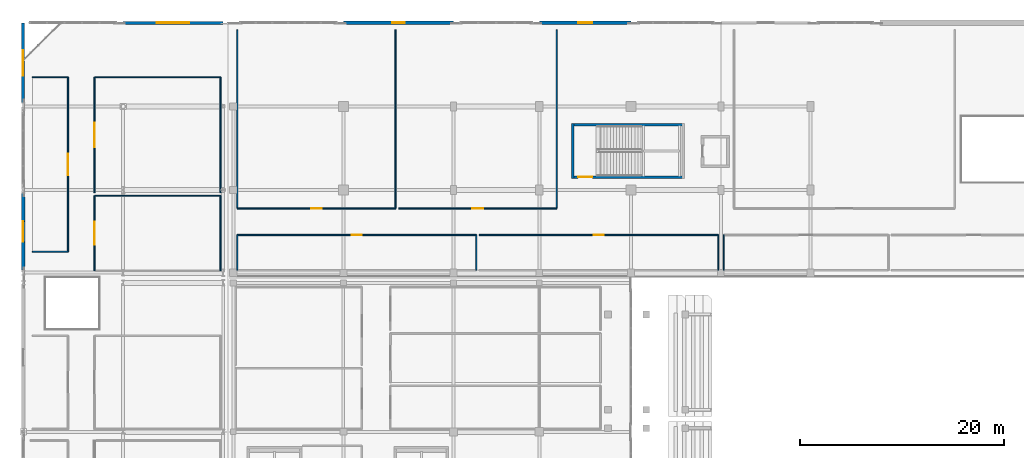
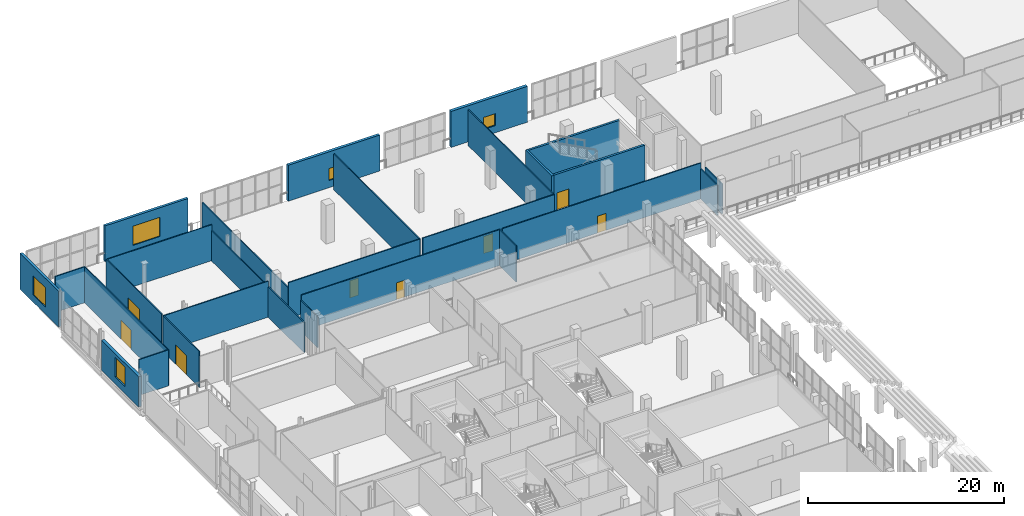
# One storey, part 102 of 142: 28 walls, 8 doors, 5 windows, 13 openings.
"""IFC4 building model written with IfcOpenShell, lengths in metres."""

from ifc_helpers import new_model, si_unit, direction, frame, frame_2d, origin, place, context, subcontext, project, spatial, rectangle, extrude, material, layer, layer_set, type_object, element, fill, save


model = new_model("IFC4")

# Units and contexts
model_context = context("Model", 3, precision=1e-05, world=origin(), true_north=direction((0.0, 1.0)))
body_context = subcontext(model_context, "Body", "Model", "MODEL_VIEW")
ifc_project = project(units=[si_unit("LENGTHUNIT", "METRE"), si_unit("AREAUNIT", "SQUARE_METRE"), si_unit("VOLUMEUNIT", "CUBIC_METRE"), si_unit("PLANEANGLEUNIT", "RADIAN"), si_unit("MASSUNIT", "GRAM", prefix="KILO")], contexts=[model_context])

# Site, building, storey
site_placement = place(None, origin())
site = spatial("IfcSite", under=ifc_project, at=site_placement, CompositionType="ELEMENT")
building_placement = place(site_placement, origin())
building = spatial("IfcBuilding", under=site, at=building_placement, Name="Koshinbarg Plaza Stadium", CompositionType="ELEMENT")
storey_placement = place(building_placement, frame((0.0, 0.0, 10.199951171875)))
storey = spatial("IfcBuildingStorey", under=building, at=storey_placement, Name="L02", CompositionType="ELEMENT", Elevation=10.199951171875)

# Walls
ifc_material_1 = material(Name="Concrete C40/50", Category="concrete")
ifc_layer_1 = layer(ifc_material_1, 0.25)
ifc_layer_set_1 = layer_set([ifc_layer_1], Name="Concrete C40/50")
wall_type_1 = type_object("IfcWallType", Name="WL-CORE-250", PredefinedType="SHEAR", material=ifc_layer_set_1)
wall_1_placement = place(storey_placement, frame((57.875, 142.1201171875, 0.0), z_axis=(0.0, 0.0, 1.0), x_axis=(0.0, -1.0, 0.0)))
element("IfcWall", 1, at=wall_1_placement, inside=storey, type_object=wall_type_1, Name="L02 core stair shear wall C11-near IWL-L02-0266", PredefinedType="SHEAR", context=body_context, shape_type="SweptSolid", body=[
    extrude(rectangle(XDim=5.3701171875, YDim=0.25, at=frame_2d((2.68505859375, 0.0))), origin(), (0.0, 0.0, 1.0), 4.47998046875),
])
wall_2_placement = place(storey_placement, frame((57.875, 141.9951171875, 0.0), z_axis=(0.0, 0.0, 1.0), x_axis=(1.0, 0.0, 0.0)))
element("IfcWall", 2, at=wall_2_placement, inside=storey, type_object=wall_type_1, Name="L02 core stair shear wall C11-left IWL-L02-0268", PredefinedType="SHEAR", context=body_context, shape_type="SweptSolid", body=[
    extrude(rectangle(XDim=10.85009765625, YDim=0.25, at=frame_2d((5.425048828125, 0.0))), origin(), (0.0, 0.0, 1.0), 4.47998046875),
])

# Wall, opening, door
wall_3_placement = place(storey_placement, frame((57.875, 136.875, 0.0), z_axis=(0.0, 0.0, 1.0), x_axis=(1.0, 0.0, 0.0)))
wall_3 = element("IfcWall", 3, at=wall_3_placement, inside=storey, type_object=wall_type_1, Name="L02 core stair shear wall C11-right IWL-L02-0269", PredefinedType="SHEAR", context=body_context, shape_type="SweptSolid", body=[
    extrude(rectangle(XDim=10.85009765625, YDim=0.25, at=frame_2d((5.425048828125, 0.0))), origin(), (0.0, 0.0, 1.0), 4.47998046875),
])
opening_1_placement = place(wall_3_placement, frame((0.52001953125, 0.0, 0.0)))
opening_1 = element("IfcOpeningElement", 4, at=opening_1_placement, cuts=wall_3, Name="Opening D-0129", PredefinedType="OPENING", context=body_context, shape_type="SweptSolid", body=[
    extrude(rectangle(XDim=1.39990234375, YDim=2.14990234375, at=frame_2d((0.699951171875, 1.074951171875))), frame((0.0, 0.135009765625, 0.0), z_axis=(0.0, -1.0, 0.0), x_axis=(1.0, 0.0, 0.0)), (0.0, 0.0, 1.0), 0.27001953125),
])
ifc_material_2 = material(Name="Painted galvanized steel fire door", Category="steel")
door_type_1 = type_object("IfcDoorType", Name="DR-STAIR-1400", OperationType="NOTDEFINED", PredefinedType="DOOR", material=ifc_material_2)
door_1_placement = place(opening_1_placement, origin())
door_1 = element("IfcDoor", 5, at=door_1_placement, inside=storey, type_object=door_type_1, Name="L02 exit stair door C11", OperationType="SINGLE_SWING_RIGHT", OverallHeight=2.14990234375, OverallWidth=1.39990234375, PredefinedType="DOOR", context=body_context, shape_type="SweptSolid", body=[
    extrude(rectangle(XDim=1.39990234375, YDim=2.14990234375, at=frame_2d((0.699951171875, 1.074951171875))), frame((0.0, 0.02490234375, 0.0), z_axis=(0.0, -1.0, 0.0), x_axis=(1.0, 0.0, 0.0)), (0.0, 0.0, 1.0), 0.050048828125),
])
fill(opening_1, door_1)

# Wall, opening, window
ifc_material_3 = material(Name="Terracotta-ochre mineral plaster insulated wall", Category="masonry")
ifc_layer_2 = layer(ifc_material_3, 0.280029296875)
ifc_layer_set_2 = layer_set([ifc_layer_2], Name="Terracotta-ochre mineral plaster insulated wall")
wall_type_2 = type_object("IfcWallType", Name="WL-EXT-280", PredefinedType="SOLIDWALL", material=ifc_layer_set_2)
wall_4_placement = place(storey_placement, frame((4.0, 144.14501953125, 0.0), z_axis=(0.0, 0.0, 1.0), x_axis=(0.0, 1.0, 0.0)))
wall_4 = element("IfcWall", 6, at=wall_4_placement, inside=storey, type_object=wall_type_2, Name="L02 exterior envelope wall EWL-L02-0116", PredefinedType="SOLIDWALL", context=body_context, shape_type="SweptSolid", body=[
    extrude(rectangle(XDim=7.85498046875, YDim=0.280029296875, at=frame_2d((3.927490234375, 0.0))), origin(), (0.0, 0.0, 1.0), 4.47998046875),
])
opening_2_placement = place(wall_4_placement, frame((2.677490234375, 0.0, 0.89990234375)))
opening_2 = element("IfcOpeningElement", 7, at=opening_2_placement, cuts=wall_4, Name="Opening WN21", PredefinedType="OPENING", context=body_context, shape_type="SweptSolid", body=[
    extrude(rectangle(XDim=2.5, YDim=2.39990234375, at=frame_2d((1.25, 1.199951171875))), frame((0.0, 0.14990234375, 0.0), z_axis=(0.0, -1.0, 0.0), x_axis=(1.0, 0.0, 0.0)), (0.0, 0.0, 1.0), 0.300048828125),
])
ifc_material_4 = material(Name="Solar-control double glazing in thermally broken aluminium frame", Category="aluminium")
window_type_1 = type_object("IfcWindowType", Name="WN-FAC-21", PartitioningType="DOUBLE_PANEL_VERTICAL", PredefinedType="WINDOW", material=ifc_material_4)
window_1_placement = place(opening_2_placement, origin())
window_1 = element("IfcWindow", 8, at=window_1_placement, inside=storey, type_object=window_type_1, Name="L02 facade window 0054", OverallHeight=2.39990234375, OverallWidth=2.5, PartitioningType="SINGLE_PANEL", PredefinedType="WINDOW", context=body_context, shape_type="SweptSolid", body=[
    extrude(rectangle(XDim=2.5, YDim=2.39990234375, at=frame_2d((1.25, 1.199951171875))), frame((0.0, 0.030029296875, 0.0), z_axis=(0.0, -1.0, 0.0), x_axis=(1.0, 0.0, 0.0)), (0.0, 0.0, 1.0), 0.06005859375),
])
fill(opening_2, window_1)

ifc_material_5 = material(Name="Off-white mineral plaster insulated wall", Category="masonry")
ifc_layer_3 = layer(ifc_material_5, 0.300048828125)
ifc_layer_set_3 = layer_set([ifc_layer_3], Name="Off-white mineral plaster insulated wall")
wall_type_3 = type_object("IfcWallType", Name="WL-EXT-300", PredefinedType="SOLIDWALL", material=ifc_layer_set_3)
wall_5_placement = place(storey_placement, frame((13.800048828125, 152.0, 0.0), z_axis=(0.0, 0.0, 1.0), x_axis=(1.0, 0.0, 0.0)))
wall_5 = element("IfcWall", 9, at=wall_5_placement, inside=storey, type_object=wall_type_3, Name="L02 exterior envelope wall EWL-L02-0117", PredefinedType="SOLIDWALL", context=body_context, shape_type="SweptSolid", body=[
    extrude(rectangle(XDim=9.800048828125, YDim=0.300048828125, at=frame_2d((4.89990234375, 0.0))), origin(), (0.0, 0.0, 1.0), 4.47998046875),
])
opening_3_placement = place(wall_5_placement, frame((3.300048828125, 0.0, 0.89990234375)))
opening_3 = element("IfcOpeningElement", 10, at=opening_3_placement, cuts=wall_5, Name="Opening WN22", PredefinedType="OPENING", context=body_context, shape_type="SweptSolid", body=[
    extrude(rectangle(XDim=3.199951171875, YDim=2.39990234375, at=frame_2d((1.60009765625, 1.199951171875))), frame((0.0, 0.159912109375, 0.0), z_axis=(0.0, -1.0, 0.0), x_axis=(1.0, 0.0, 0.0)), (0.0, 0.0, 1.0), 0.320068359375),
])
window_type_2 = type_object("IfcWindowType", Name="WN-FAC-22", PartitioningType="DOUBLE_PANEL_VERTICAL", PredefinedType="WINDOW", material=ifc_material_4)
window_2_placement = place(opening_3_placement, origin())
window_2 = element("IfcWindow", 11, at=window_2_placement, inside=storey, type_object=window_type_2, Name="L02 facade window 0055", OverallHeight=2.39990234375, OverallWidth=3.199951171875, PartitioningType="SINGLE_PANEL", PredefinedType="WINDOW", context=body_context, shape_type="SweptSolid", body=[
    extrude(rectangle(XDim=3.199951171875, YDim=2.39990234375, at=frame_2d((1.60009765625, 1.199951171875))), frame((0.0, 0.030029296875, 0.0), z_axis=(0.0, -1.0, 0.0), x_axis=(1.0, 0.0, 0.0)), (0.0, 0.0, 1.0), 0.06005859375),
])
fill(opening_3, window_2)

ifc_material_6 = material(Name="Ultramarine-blue pigmented mineral plaster facade wall", Category="masonry")
ifc_layer_4 = layer(ifc_material_6, 0.320068359375)
ifc_layer_set_4 = layer_set([ifc_layer_4], Name="Ultramarine-blue pigmented mineral plaster facade wall")
wall_type_4 = type_object("IfcWallType", Name="WL-EXT-320", PredefinedType="SOLIDWALL", material=ifc_layer_set_4)
wall_6_placement = place(storey_placement, frame((35.39990234375, 152.0, 0.0), z_axis=(0.0, 0.0, 1.0), x_axis=(1.0, 0.0, 0.0)))
wall_6 = element("IfcWall", 12, at=wall_6_placement, inside=storey, type_object=wall_type_4, Name="L02 exterior envelope wall EWL-L02-0118", PredefinedType="SOLIDWALL", context=body_context, shape_type="SweptSolid", body=[
    extrude(rectangle(XDim=10.800048828125, YDim=0.320068359375, at=frame_2d((5.39990234375, 0.0))), origin(), (0.0, 0.0, 1.0), 4.47998046875),
])
opening_4_placement = place(wall_6_placement, frame((4.800048828125, 0.0, 0.89990234375)))
opening_4 = element("IfcOpeningElement", 13, at=opening_4_placement, cuts=wall_6, Name="Opening WN01", PredefinedType="OPENING", context=body_context, shape_type="SweptSolid", body=[
    extrude(rectangle(XDim=1.199951171875, YDim=1.5, at=frame_2d((0.60009765625, 0.75))), frame((0.0, 0.169921875, 0.0), z_axis=(0.0, -1.0, 0.0), x_axis=(1.0, 0.0, 0.0)), (0.0, 0.0, 1.0), 0.340087890625),
])
window_type_3 = type_object("IfcWindowType", Name="WN-FAC-01", PartitioningType="DOUBLE_PANEL_VERTICAL", PredefinedType="WINDOW", material=ifc_material_4)
window_3_placement = place(opening_4_placement, origin())
window_3 = element("IfcWindow", 14, at=window_3_placement, inside=storey, type_object=window_type_3, Name="L02 facade window 0056", OverallHeight=1.5, OverallWidth=1.199951171875, PartitioningType="SINGLE_PANEL", PredefinedType="WINDOW", context=body_context, shape_type="SweptSolid", body=[
    extrude(rectangle(XDim=1.199951171875, YDim=1.5, at=frame_2d((0.60009765625, 0.75))), frame((0.0, 0.030029296875, 0.0), z_axis=(0.0, -1.0, 0.0), x_axis=(1.0, 0.0, 0.0)), (0.0, 0.0, 1.0), 0.06005859375),
])
fill(opening_4, window_3)

ifc_material_7 = material(Name="Acoustic insulated masonry stadium wall", Category="masonry")
ifc_layer_5 = layer(ifc_material_7, 0.35009765625)
ifc_layer_set_5 = layer_set([ifc_layer_5], Name="Acoustic insulated masonry stadium wall")
wall_type_5 = type_object("IfcWallType", Name="WL-EXT-350", PredefinedType="SOLIDWALL", material=ifc_layer_set_5)
wall_7_placement = place(storey_placement, frame((4.0, 127.7451171875, 0.0), z_axis=(0.0, 0.0, 1.0), x_axis=(0.0, 1.0, 0.0)))
wall_7 = element("IfcWall", 15, at=wall_7_placement, inside=storey, type_object=wall_type_5, Name="L02 exterior envelope wall EWL-L02-0115", PredefinedType="SOLIDWALL", context=body_context, shape_type="SweptSolid", body=[
    extrude(rectangle(XDim=7.559814453125, YDim=0.35009765625, at=frame_2d((3.77978515625, 0.0))), origin(), (0.0, 0.0, 1.0), 3.780029296875),
])
opening_5_placement = place(wall_7_placement, frame((2.780029296875, 0.0, 0.89990234375)))
opening_5 = element("IfcOpeningElement", 16, at=opening_5_placement, cuts=wall_7, Name="Opening WN20", PredefinedType="OPENING", context=body_context, shape_type="SweptSolid", body=[
    extrude(rectangle(XDim=2.0, YDim=2.39990234375, at=frame_2d((1.0, 1.199951171875))), frame((0.0, 0.18505859375, 0.0), z_axis=(0.0, -1.0, 0.0), x_axis=(1.0, 0.0, 0.0)), (0.0, 0.0, 1.0), 0.3701171875),
])
window_type_4 = type_object("IfcWindowType", Name="WN-FAC-20", PartitioningType="DOUBLE_PANEL_VERTICAL", PredefinedType="WINDOW", material=ifc_material_4)
window_4_placement = place(opening_5_placement, origin())
window_4 = element("IfcWindow", 17, at=window_4_placement, inside=storey, type_object=window_type_4, Name="L02 facade window 0053", OverallHeight=2.39990234375, OverallWidth=2.0, PartitioningType="SINGLE_PANEL", PredefinedType="WINDOW", context=body_context, shape_type="SweptSolid", body=[
    extrude(rectangle(XDim=2.0, YDim=2.39990234375, at=frame_2d((1.0, 1.199951171875))), frame((0.0, 0.030029296875, 0.0), z_axis=(0.0, -1.0, 0.0), x_axis=(1.0, 0.0, 0.0)), (0.0, 0.0, 1.0), 0.06005859375),
])
fill(opening_5, window_4)

wall_8_placement = place(storey_placement, frame((54.60009765625, 152.0, 0.0), z_axis=(0.0, 0.0, 1.0), x_axis=(1.0, 0.0, 0.0)))
wall_8 = element("IfcWall", 18, at=wall_8_placement, inside=storey, type_object=wall_type_5, Name="L02 exterior envelope wall EWL-L02-0119", PredefinedType="SOLIDWALL", context=body_context, shape_type="SweptSolid", body=[
    extrude(rectangle(XDim=9.0, YDim=0.35009765625, at=frame_2d((4.5, 0.0))), origin(), (0.0, 0.0, 1.0), 4.47998046875),
])
opening_6_placement = place(wall_8_placement, frame((3.800048828125, 0.0, 0.89990234375)))
opening_6 = element("IfcOpeningElement", 19, at=opening_6_placement, cuts=wall_8, Name="Opening WN02", PredefinedType="OPENING", context=body_context, shape_type="SweptSolid", body=[
    extrude(rectangle(XDim=1.39990234375, YDim=1.5, at=frame_2d((0.699951171875, 0.75))), frame((0.0, 0.18505859375, 0.0), z_axis=(0.0, -1.0, 0.0), x_axis=(1.0, 0.0, 0.0)), (0.0, 0.0, 1.0), 0.3701171875),
])
window_type_5 = type_object("IfcWindowType", Name="WN-FAC-02", PartitioningType="DOUBLE_PANEL_VERTICAL", PredefinedType="WINDOW", material=ifc_material_4)
window_5_placement = place(opening_6_placement, origin())
window_5 = element("IfcWindow", 20, at=window_5_placement, inside=storey, type_object=window_type_5, Name="L02 facade window 0057", OverallHeight=1.5, OverallWidth=1.39990234375, PartitioningType="SINGLE_PANEL", PredefinedType="WINDOW", context=body_context, shape_type="SweptSolid", body=[
    extrude(rectangle(XDim=1.39990234375, YDim=1.5, at=frame_2d((0.699951171875, 0.75))), frame((0.0, 0.030029296875, 0.0), z_axis=(0.0, -1.0, 0.0), x_axis=(1.0, 0.0, 0.0)), (0.0, 0.0, 1.0), 0.06005859375),
])
fill(opening_6, window_5)

# Wall
ifc_material_8 = material(Name="Gypsum board metal-stud acoustic partition")
ifc_layer_6 = layer(ifc_material_8, 0.1201171875)
ifc_layer_set_6 = layer_set([ifc_layer_6], Name="Gypsum board metal-stud acoustic partition")
wall_type_6 = type_object("IfcWallType", Name="WL-PART-120", PredefinedType="PARTITIONING", material=ifc_layer_set_6)
wall_9_placement = place(storey_placement, frame((48.41259765625, 127.7451171875, 0.0), z_axis=(0.0, 0.0, 1.0), x_axis=(0.0, 1.0, 0.0)))
element("IfcWall", 21, at=wall_9_placement, inside=storey, type_object=wall_type_6, Name="L02 interior partition L02-103-east IWL-L02-1741", PredefinedType="PARTITIONING", context=body_context, shape_type="SweptSolid", body=[
    extrude(rectangle(XDim=3.454833984375, YDim=0.1201171875, at=frame_2d((1.7275390625, 0.0))), origin(), (0.0, 0.0, 1.0), 4.47998046875),
])

# Wall, opening, door
wall_10_placement = place(storey_placement, frame((48.41259765625, 131.199951171875, 0.0), z_axis=(0.0, 0.0, 1.0), x_axis=(-1.0, 0.0, 0.0)))
wall_10 = element("IfcWall", 22, at=wall_10_placement, inside=storey, type_object=wall_type_6, Name="L02 interior partition L02-103-north IWL-L02-1742", PredefinedType="PARTITIONING", context=body_context, shape_type="SweptSolid", body=[
    extrude(rectangle(XDim=23.41748046875, YDim=0.1201171875, at=frame_2d((11.708740234375, 0.0))), origin(), (0.0, 0.0, 1.0), 4.47998046875),
])
opening_7_placement = place(wall_10_placement, frame((11.228759765625, 0.0, 0.0)))
opening_7 = element("IfcOpeningElement", 23, at=opening_7_placement, cuts=wall_10, Name="Opening D-0590", PredefinedType="OPENING", context=body_context, shape_type="SweptSolid", body=[
    extrude(rectangle(XDim=0.9599609375, YDim=2.10009765625, at=frame_2d((0.47998046875, 1.050048828125))), frame((0.0, 0.070068359375, 0.0), z_axis=(0.0, -1.0, 0.0), x_axis=(1.0, 0.0, 0.0)), (0.0, 0.0, 1.0), 0.14013671875),
])
ifc_material_9 = material(Name="Solid-core oak veneer acoustic door")
door_type_2 = type_object("IfcDoorType", Name="DR-INT-0960x2100", OperationType="NOTDEFINED", PredefinedType="DOOR", material=ifc_material_9)
door_2_placement = place(opening_7_placement, origin())
door_2 = element("IfcDoor", 24, at=door_2_placement, inside=storey, type_object=door_type_2, Name="L02 Tashkent Sporting Archive Hall door D-0590", OperationType="SINGLE_SWING_RIGHT", OverallHeight=2.10009765625, OverallWidth=0.9599609375, PredefinedType="DOOR", context=body_context, shape_type="SweptSolid", body=[
    extrude(rectangle(XDim=0.9599609375, YDim=2.10009765625, at=frame_2d((0.47998046875, 1.050048828125))), frame((0.0, 0.02490234375, 0.0), z_axis=(0.0, -1.0, 0.0), x_axis=(1.0, 0.0, 0.0)), (0.0, 0.0, 1.0), 0.050048828125),
])
fill(opening_7, door_2)

# Walls
wall_11_placement = place(storey_placement, frame((24.9951171875, 131.199951171875, 0.0), z_axis=(0.0, 0.0, 1.0), x_axis=(0.0, -1.0, 0.0)))
element("IfcWall", 25, at=wall_11_placement, inside=storey, type_object=wall_type_6, Name="L02 interior partition L02-103-west IWL-L02-1743", PredefinedType="PARTITIONING", context=body_context, shape_type="SweptSolid", body=[
    extrude(rectangle(XDim=3.454833984375, YDim=0.1201171875, at=frame_2d((1.7275390625, 0.0))), origin(), (0.0, 0.0, 1.0), 3.860107421875),
])
wall_12_placement = place(storey_placement, frame((72.1298828125, 127.7451171875, 0.0), z_axis=(0.0, 0.0, 1.0), x_axis=(0.0, 1.0, 0.0)))
element("IfcWall", 26, at=wall_12_placement, inside=storey, type_object=wall_type_6, Name="L02 interior partition L02-104-east IWL-L02-1745", PredefinedType="PARTITIONING", context=body_context, shape_type="SweptSolid", body=[
    extrude(rectangle(XDim=3.454833984375, YDim=0.1201171875, at=frame_2d((1.7275390625, 0.0))), origin(), (0.0, 0.0, 1.0), 3.760009765625),
])

# Wall, opening, door
wall_13_placement = place(storey_placement, frame((72.1298828125, 131.199951171875, 0.0), z_axis=(0.0, 0.0, 1.0), x_axis=(-1.0, 0.0, 0.0)))
wall_13 = element("IfcWall", 27, at=wall_13_placement, inside=storey, type_object=wall_type_6, Name="L02 interior partition L02-104-north IWL-L02-1746", PredefinedType="PARTITIONING", context=body_context, shape_type="SweptSolid", body=[
    extrude(rectangle(XDim=23.41748046875, YDim=0.1201171875, at=frame_2d((11.708740234375, 0.0))), origin(), (0.0, 0.0, 1.0), 4.47998046875),
])
opening_8_placement = place(wall_13_placement, frame((11.208740234375, 0.0, 0.0)))
opening_8 = element("IfcOpeningElement", 28, at=opening_8_placement, cuts=wall_13, Name="Opening D-0591", PredefinedType="OPENING", context=body_context, shape_type="SweptSolid", body=[
    extrude(rectangle(XDim=1.0, YDim=2.10009765625, at=frame_2d((0.5, 1.050048828125))), frame((0.0, 0.070068359375, 0.0), z_axis=(0.0, -1.0, 0.0), x_axis=(1.0, 0.0, 0.0)), (0.0, 0.0, 1.0), 0.14013671875),
])
ifc_material_10 = material(Name="Solid-core laminate accessible WC door")
door_type_3 = type_object("IfcDoorType", Name="DR-INT-1000x2100", OperationType="NOTDEFINED", PredefinedType="DOOR", material=ifc_material_10)
door_3_placement = place(opening_8_placement, origin())
door_3 = element("IfcDoor", 29, at=door_3_placement, inside=storey, type_object=door_type_3, Name="L02 North Club Lounge door D-0591", OperationType="SINGLE_SWING_LEFT", OverallHeight=2.10009765625, OverallWidth=1.0, PredefinedType="DOOR", context=body_context, shape_type="SweptSolid", body=[
    extrude(rectangle(XDim=1.0, YDim=2.10009765625, at=frame_2d((0.5, 1.050048828125))), frame((0.0, 0.02490234375, 0.0), z_axis=(0.0, -1.0, 0.0), x_axis=(1.0, 0.0, 0.0)), (0.0, 0.0, 1.0), 0.050048828125),
])
fill(opening_8, door_3)

wall_14_placement = place(storey_placement, frame((24.9951171875, 133.800048828125, 0.0), z_axis=(0.0, 0.0, 1.0), x_axis=(1.0, 0.0, 0.0)))
wall_14 = element("IfcWall", 30, at=wall_14_placement, inside=storey, type_object=wall_type_6, Name="L02 interior partition L02-105-south IWL-L02-1747", PredefinedType="PARTITIONING", context=body_context, shape_type="SweptSolid", body=[
    extrude(rectangle(XDim=15.511474609375, YDim=0.1201171875, at=frame_2d((7.755859375, 0.0))), origin(), (0.0, 0.0, 1.0), 4.47998046875),
])
opening_9_placement = place(wall_14_placement, frame((7.23095703125, 0.0, 0.0)))
opening_9 = element("IfcOpeningElement", 31, at=opening_9_placement, cuts=wall_14, Name="Opening D-0592", PredefinedType="OPENING", context=body_context, shape_type="SweptSolid", body=[
    extrude(rectangle(XDim=1.050048828125, YDim=2.14990234375, at=frame_2d((0.52490234375, 1.074951171875))), frame((0.0, 0.070068359375, 0.0), z_axis=(0.0, -1.0, 0.0), x_axis=(1.0, 0.0, 0.0)), (0.0, 0.0, 1.0), 0.14013671875),
])
ifc_material_11 = material(Name="Solid-core oak suite entrance door")
door_type_4 = type_object("IfcDoorType", Name="DR-INT-1050x2150", OperationType="NOTDEFINED", PredefinedType="DOOR", material=ifc_material_11)
door_4_placement = place(opening_9_placement, origin())
door_4 = element("IfcDoor", 32, at=door_4_placement, inside=storey, type_object=door_type_4, Name="L02 North Club Lounge door D-0592", OperationType="SINGLE_SWING_RIGHT", OverallHeight=2.14990234375, OverallWidth=1.050048828125, PredefinedType="DOOR", context=body_context, shape_type="SweptSolid", body=[
    extrude(rectangle(XDim=1.050048828125, YDim=2.14990234375, at=frame_2d((0.52490234375, 1.074951171875))), frame((0.0, 0.02490234375, 0.0), z_axis=(0.0, -1.0, 0.0), x_axis=(1.0, 0.0, 0.0)), (0.0, 0.0, 1.0), 0.050048828125),
])
fill(opening_9, door_4)

# Walls
wall_15_placement = place(storey_placement, frame((40.506591796875, 133.800048828125, 0.0), z_axis=(0.0, 0.0, 1.0), x_axis=(0.0, 1.0, 0.0)))
element("IfcWall", 33, at=wall_15_placement, inside=storey, type_object=wall_type_6, Name="L02 interior partition L02-105-east IWL-L02-1748", PredefinedType="PARTITIONING", context=body_context, shape_type="SweptSolid", body=[
    extrude(rectangle(XDim=17.5, YDim=0.1201171875, at=frame_2d((8.75, 0.0))), origin(), (0.0, 0.0, 1.0), 4.47998046875),
])
wall_16_placement = place(storey_placement, frame((24.9951171875, 151.300048828125, 0.0), z_axis=(0.0, 0.0, 1.0), x_axis=(0.0, -1.0, 0.0)))
element("IfcWall", 34, at=wall_16_placement, inside=storey, type_object=wall_type_6, Name="L02 interior partition L02-105-west IWL-L02-1749", PredefinedType="PARTITIONING", context=body_context, shape_type="SweptSolid", body=[
    extrude(rectangle(XDim=17.5, YDim=0.1201171875, at=frame_2d((8.75, 0.0))), origin(), (0.0, 0.0, 1.0), 3.860107421875),
])

# Wall, opening, door
wall_17_placement = place(storey_placement, frame((40.806640625, 133.800048828125, 0.0), z_axis=(0.0, 0.0, 1.0), x_axis=(1.0, 0.0, 0.0)))
wall_17 = element("IfcWall", 35, at=wall_17_placement, inside=storey, type_object=wall_type_6, Name="L02 interior partition L02-106-south IWL-L02-1750", PredefinedType="PARTITIONING", context=body_context, shape_type="SweptSolid", body=[
    extrude(rectangle(XDim=15.51171875, YDim=0.1201171875, at=frame_2d((7.755859375, 0.0))), origin(), (0.0, 0.0, 1.0), 4.47998046875),
])
opening_10_placement = place(wall_17_placement, frame((7.19580078125, 0.0, 0.0)))
opening_10 = element("IfcOpeningElement", 36, at=opening_10_placement, cuts=wall_17, Name="Opening D-0593", PredefinedType="OPENING", context=body_context, shape_type="SweptSolid", body=[
    extrude(rectangle(XDim=1.1201171875, YDim=2.14990234375, at=frame_2d((0.56005859375, 1.074951171875))), frame((0.0, 0.070068359375, 0.0), z_axis=(0.0, -1.0, 0.0), x_axis=(1.0, 0.0, 0.0)), (0.0, 0.0, 1.0), 0.14013671875),
])
ifc_material_12 = material(Name="Acoustic timber broadcast studio door", Category="wood")
door_type_5 = type_object("IfcDoorType", Name="DR-INT-1120x2150", OperationType="NOTDEFINED", PredefinedType="DOOR", material=ifc_material_12)
door_5_placement = place(opening_10_placement, origin())
door_5 = element("IfcDoor", 37, at=door_5_placement, inside=storey, type_object=door_type_5, Name="L02 Museum Cafe Dining Hall door D-0593", OperationType="SINGLE_SWING_LEFT", OverallHeight=2.14990234375, OverallWidth=1.1201171875, PredefinedType="DOOR", context=body_context, shape_type="SweptSolid", body=[
    extrude(rectangle(XDim=1.1201171875, YDim=2.14990234375, at=frame_2d((0.56005859375, 1.074951171875))), frame((0.0, 0.02490234375, 0.0), z_axis=(0.0, -1.0, 0.0), x_axis=(1.0, 0.0, 0.0)), (0.0, 0.0, 1.0), 0.050048828125),
])
fill(opening_10, door_5)

# Walls
wall_18_placement = place(storey_placement, frame((56.318359375, 133.800048828125, 0.0), z_axis=(0.0, 0.0, 1.0), x_axis=(0.0, 1.0, 0.0)))
element("IfcWall", 38, at=wall_18_placement, inside=storey, type_object=wall_type_6, Name="L02 interior partition L02-106-east IWL-L02-1751", PredefinedType="PARTITIONING", context=body_context, shape_type="SweptSolid", body=[
    extrude(rectangle(XDim=17.5, YDim=0.1201171875, at=frame_2d((8.75, 0.0))), origin(), (0.0, 0.0, 1.0), 4.47998046875),
])
wall_19_placement = place(storey_placement, frame((72.669921875, 131.199951171875, 0.0), z_axis=(0.0, 0.0, 1.0), x_axis=(0.0, -1.0, 0.0)))
element("IfcWall", 39, at=wall_19_placement, inside=storey, type_object=wall_type_6, Name="L02 interior partition L02-107-west IWL-L02-1755", PredefinedType="PARTITIONING", context=body_context, shape_type="SweptSolid", body=[
    extrude(rectangle(XDim=3.454833984375, YDim=0.1201171875, at=frame_2d((1.7275390625, 0.0))), origin(), (0.0, 0.0, 1.0), 3.760009765625),
])
wall_20_placement = place(storey_placement, frame((4.89990234375, 129.56005859375, 0.0), z_axis=(0.0, 0.0, 1.0), x_axis=(1.0, 0.0, 0.0)))
element("IfcWall", 40, at=wall_20_placement, inside=storey, type_object=wall_type_6, Name="L02 interior partition L02-149-south IWL-L02-1870", PredefinedType="PARTITIONING", context=body_context, shape_type="SweptSolid", body=[
    extrude(rectangle(XDim=3.5, YDim=0.1201171875, at=frame_2d((1.75, 0.0))), origin(), (0.0, 0.0, 1.0), 4.47998046875),
])

# Wall, opening, door
wall_21_placement = place(storey_placement, frame((8.39990234375, 129.56005859375, 0.0), z_axis=(0.0, 0.0, 1.0), x_axis=(0.0, 1.0, 0.0)))
wall_21 = element("IfcWall", 41, at=wall_21_placement, inside=storey, type_object=wall_type_6, Name="L02 interior partition L02-149-east IWL-L02-1871", PredefinedType="PARTITIONING", context=body_context, shape_type="SweptSolid", body=[
    extrude(rectangle(XDim=17.08984375, YDim=0.1201171875, at=frame_2d((8.544921875, 0.0))), origin(), (0.0, 0.0, 1.0), 4.47998046875),
])
opening_11_placement = place(wall_21_placement, frame((7.5048828125, 0.0, 0.0)))
opening_11 = element("IfcOpeningElement", 42, at=opening_11_placement, cuts=wall_21, Name="Opening D-0636", PredefinedType="OPENING", context=body_context, shape_type="SweptSolid", body=[
    extrude(rectangle(XDim=2.080078125, YDim=2.35009765625, at=frame_2d((1.0400390625, 1.175048828125))), frame((0.0, 0.070068359375, 0.0), z_axis=(0.0, -1.0, 0.0), x_axis=(1.0, 0.0, 0.0)), (0.0, 0.0, 1.0), 0.14013671875),
])
ifc_material_13 = material(Name="Laminated safety glass aluminium vestibule door", Category="aluminium")
door_type_6 = type_object("IfcDoorType", Name="DR-INT-2080x2350", OperationType="NOTDEFINED", PredefinedType="DOOR", material=ifc_material_13)
door_6_placement = place(opening_11_placement, origin())
door_6 = element("IfcDoor", 43, at=door_6_placement, inside=storey, type_object=door_type_6, Name="L02 Northwest Exhibition Hall door D-0636", OperationType="DOUBLE_DOOR_SINGLE_SWING", OverallHeight=2.35009765625, OverallWidth=2.080078125, PredefinedType="DOOR", context=body_context, shape_type="SweptSolid", body=[
    extrude(rectangle(XDim=2.080078125, YDim=2.35009765625, at=frame_2d((1.0400390625, 1.175048828125))), frame((0.0, 0.02490234375, 0.0), z_axis=(0.0, -1.0, 0.0), x_axis=(1.0, 0.0, 0.0)), (0.0, 0.0, 1.0), 0.050048828125),
])
fill(opening_11, door_6)

# Walls
wall_22_placement = place(storey_placement, frame((8.39990234375, 146.64990234375, 0.0), z_axis=(0.0, 0.0, 1.0), x_axis=(-1.0, 0.0, 0.0)))
element("IfcWall", 44, at=wall_22_placement, inside=storey, type_object=wall_type_6, Name="L02 interior partition L02-149-north IWL-L02-1872", PredefinedType="PARTITIONING", context=body_context, shape_type="SweptSolid", body=[
    extrude(rectangle(XDim=3.5, YDim=0.1201171875, at=frame_2d((1.75, 0.0))), origin(), (0.0, 0.0, 1.0), 4.47998046875),
])
wall_23_placement = place(storey_placement, frame((23.35498046875, 127.679931640625, 0.0), z_axis=(0.0, 0.0, 1.0), x_axis=(0.0, 1.0, 0.0)))
element("IfcWall", 45, at=wall_23_placement, inside=storey, type_object=wall_type_6, Name="L02 interior partition L02-151-east IWL-L02-1878", PredefinedType="PARTITIONING", context=body_context, shape_type="SweptSolid", body=[
    extrude(rectangle(XDim=7.376708984375, YDim=0.1201171875, at=frame_2d((3.6884765625, 0.0))), origin(), (0.0, 0.0, 1.0), 3.780029296875),
])
wall_24_placement = place(storey_placement, frame((23.35498046875, 135.056640625, 0.0), z_axis=(0.0, 0.0, 1.0), x_axis=(-1.0, 0.0, 0.0)))
element("IfcWall", 46, at=wall_24_placement, inside=storey, type_object=wall_type_6, Name="L02 interior partition L02-151-north IWL-L02-1879", PredefinedType="PARTITIONING", context=body_context, shape_type="SweptSolid", body=[
    extrude(rectangle(XDim=12.35498046875, YDim=0.1201171875, at=frame_2d((6.177490234375, 0.0))), origin(), (0.0, 0.0, 1.0), 4.47998046875),
])

# Wall, opening, door
wall_25_placement = place(storey_placement, frame((11.0, 135.056640625, 0.0), z_axis=(0.0, 0.0, 1.0), x_axis=(0.0, -1.0, 0.0)))
wall_25 = element("IfcWall", 47, at=wall_25_placement, inside=storey, type_object=wall_type_6, Name="L02 interior partition L02-151-west IWL-L02-1880", PredefinedType="PARTITIONING", context=body_context, shape_type="SweptSolid", body=[
    extrude(rectangle(XDim=7.376708984375, YDim=0.1201171875, at=frame_2d((3.6884765625, 0.0))), origin(), (0.0, 0.0, 1.0), 4.47998046875),
])
opening_12_placement = place(wall_25_placement, frame((2.54833984375, 0.0, 0.0)))
opening_12 = element("IfcOpeningElement", 48, at=opening_12_placement, cuts=wall_25, Name="Opening D-0638", PredefinedType="OPENING", context=body_context, shape_type="SweptSolid", body=[
    extrude(rectangle(XDim=2.280029296875, YDim=2.39990234375, at=frame_2d((1.14013671875, 1.199951171875))), frame((0.0, 0.070068359375, 0.0), z_axis=(0.0, -1.0, 0.0), x_axis=(1.0, 0.0, 0.0)), (0.0, 0.0, 1.0), 0.14013671875),
])
ifc_material_14 = material(Name="Anodised aluminium and laminated glass portal door", Category="aluminium")
door_type_7 = type_object("IfcDoorType", Name="DR-INT-2280x2400", OperationType="NOTDEFINED", PredefinedType="DOOR", material=ifc_material_14)
door_7_placement = place(opening_12_placement, origin())
door_7 = element("IfcDoor", 49, at=door_7_placement, inside=storey, type_object=door_type_7, Name="L02 Northwest Terrace Lounge door D-0638", OperationType="DOUBLE_DOOR_SINGLE_SWING", OverallHeight=2.39990234375, OverallWidth=2.280029296875, PredefinedType="DOOR", context=body_context, shape_type="SweptSolid", body=[
    extrude(rectangle(XDim=2.280029296875, YDim=2.39990234375, at=frame_2d((1.14013671875, 1.199951171875))), frame((0.0, 0.02490234375, 0.0), z_axis=(0.0, -1.0, 0.0), x_axis=(1.0, 0.0, 0.0)), (0.0, 0.0, 1.0), 0.050048828125),
])
fill(opening_12, door_7)

# Walls
wall_26_placement = place(storey_placement, frame((23.35498046875, 135.356689453125, 0.0), z_axis=(0.0, 0.0, 1.0), x_axis=(0.0, 1.0, 0.0)))
element("IfcWall", 50, at=wall_26_placement, inside=storey, type_object=wall_type_6, Name="L02 interior partition L02-152-east IWL-L02-1881", PredefinedType="PARTITIONING", context=body_context, shape_type="SweptSolid", body=[
    extrude(rectangle(XDim=11.293212890625, YDim=0.1201171875, at=frame_2d((5.646484375, 0.0))), origin(), (0.0, 0.0, 1.0), 3.780029296875),
])
wall_27_placement = place(storey_placement, frame((23.35498046875, 146.64990234375, 0.0), z_axis=(0.0, 0.0, 1.0), x_axis=(-1.0, 0.0, 0.0)))
element("IfcWall", 51, at=wall_27_placement, inside=storey, type_object=wall_type_6, Name="L02 interior partition L02-152-north IWL-L02-1882", PredefinedType="PARTITIONING", context=body_context, shape_type="SweptSolid", body=[
    extrude(rectangle(XDim=12.35498046875, YDim=0.1201171875, at=frame_2d((6.177490234375, 0.0))), origin(), (0.0, 0.0, 1.0), 4.47998046875),
])

# Wall, opening, door
wall_28_placement = place(storey_placement, frame((11.0, 146.64990234375, 0.0), z_axis=(0.0, 0.0, 1.0), x_axis=(0.0, -1.0, 0.0)))
wall_28 = element("IfcWall", 52, at=wall_28_placement, inside=storey, type_object=wall_type_6, Name="L02 interior partition L02-152-west IWL-L02-1883", PredefinedType="PARTITIONING", context=body_context, shape_type="SweptSolid", body=[
    extrude(rectangle(XDim=11.293212890625, YDim=0.1201171875, at=frame_2d((5.646484375, 0.0))), origin(), (0.0, 0.0, 1.0), 4.47998046875),
])
opening_13_placement = place(wall_28_placement, frame((4.466796875, 0.0, 0.0)))
opening_13 = element("IfcOpeningElement", 53, at=opening_13_placement, cuts=wall_28, Name="Opening D-0639", PredefinedType="OPENING", context=body_context, shape_type="SweptSolid", body=[
    extrude(rectangle(XDim=2.360107421875, YDim=2.39990234375, at=frame_2d((1.18017578125, 1.199951171875))), frame((0.0, 0.070068359375, 0.0), z_axis=(0.0, -1.0, 0.0), x_axis=(1.0, 0.0, 0.0)), (0.0, 0.0, 1.0), 0.14013671875),
])
ifc_material_15 = material(Name="Powder-coated steel and tempered glass double door", Category="steel")
door_type_8 = type_object("IfcDoorType", Name="DR-INT-2360x2400", OperationType="NOTDEFINED", PredefinedType="DOOR", material=ifc_material_15)
door_8_placement = place(opening_13_placement, origin())
door_8 = element("IfcDoor", 54, at=door_8_placement, inside=storey, type_object=door_type_8, Name="L02 Community Club Salon door D-0639", OperationType="DOUBLE_DOOR_SINGLE_SWING", OverallHeight=2.39990234375, OverallWidth=2.360107421875, PredefinedType="DOOR", context=body_context, shape_type="SweptSolid", body=[
    extrude(rectangle(XDim=2.360107421875, YDim=2.39990234375, at=frame_2d((1.18017578125, 1.199951171875))), frame((0.0, 0.02490234375, 0.0), z_axis=(0.0, -1.0, 0.0), x_axis=(1.0, 0.0, 0.0)), (0.0, 0.0, 1.0), 0.050048828125),
])
fill(opening_13, door_8)

save(model, "model.ifc")
